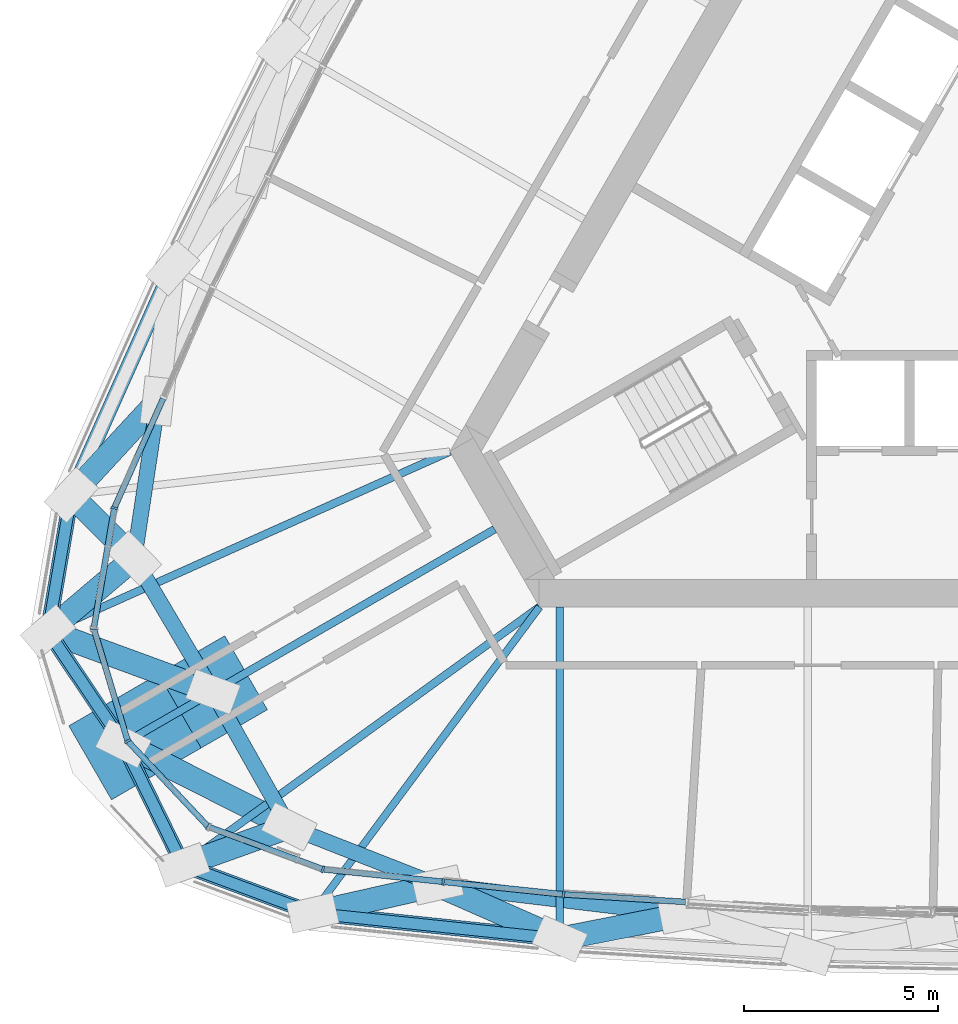
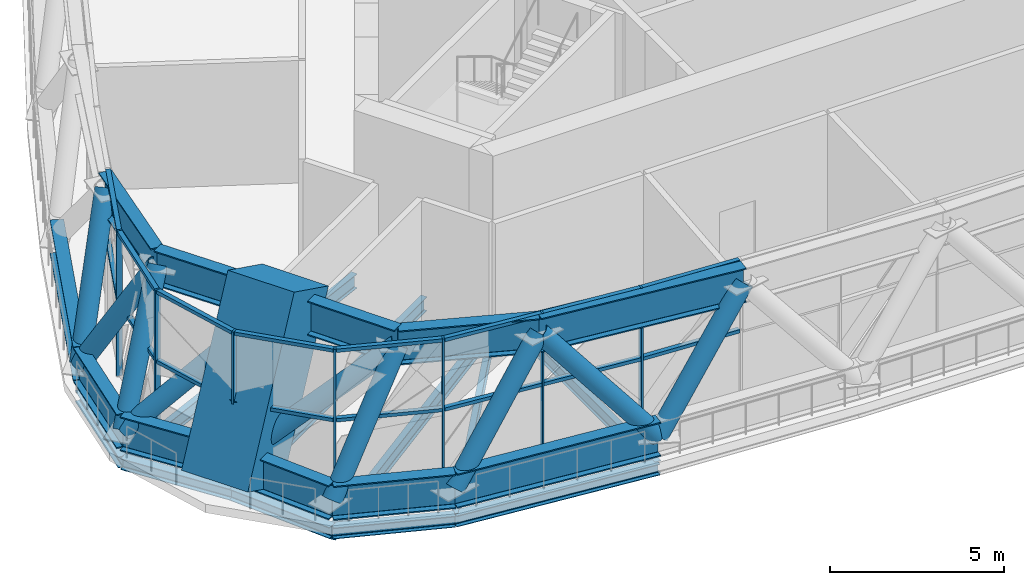
# One storey, part 1 of 33: 44 members, 10 beams, 3 elements without a shape of their own.
"""IFC4 building model written with IfcOpenShell, lengths in metres."""

import ifcopenshell
import ifcopenshell.guid

model = None  # the IFC model being written
_history = None  # IfcOwnerHistory: only IFC2X3 demands one
_inside = {}  # id of a spatial element -> (the spatial element, [elements in it])
_under = {}  # id of a project, library or spatial element -> (it, [spatial elements below it])
_declared = {}  # id of a project -> (the project, [libraries it declares])
_typed = {}  # id of a type object -> (the type object, [elements of that type])
_made_of = {}  # id of a material, layer set ... -> (it, [elements and type objects made of it])


def new_model(schema):
    """Start an empty IFC model of exactly this schema.

    Asked for "IFC4X3", IfcOpenShell would pick the latest addendum, in which some entities
    have other attributes; the version numbers below select the first issue.
    IFC2X3 requires an IfcOwnerHistory on every rooted entity: one is made here for all.
    """
    global model, _history
    if schema == "IFC4X3":
        model = ifcopenshell.file(schema_version=(4, 3, 0, 0))
    else:
        model = ifcopenshell.file(schema=schema)
    _inside.clear()
    _under.clear()
    _declared.clear()
    _typed.clear()
    _made_of.clear()
    _history = None
    if model.schema == "IFC2X3":
        org = make("IfcOrganization", Name="unknown")
        user = make(
            "IfcPersonAndOrganization",
            ThePerson=make("IfcPerson", FamilyName="unknown"),
            TheOrganization=org,
        )
        app = make(
            "IfcApplication",
            ApplicationDeveloper=org,
            Version="unknown",
            ApplicationFullName="unknown",
            ApplicationIdentifier="unknown",
        )
        _history = make(
            "IfcOwnerHistory",
            OwningUser=user,
            OwningApplication=app,
            ChangeAction="ADDED",
            CreationDate=0,
        )
    return model


def make(cls, **values):
    """One entity of the class cls with the attributes given. An attribute that is None is left unset."""
    return model.create_entity(
        cls, **{name: value for name, value in values.items() if value is not None}
    )


def rooted(cls, **values):
    """An entity with a GlobalId (a new one), such as an element, a storey or a relation."""
    return make(cls, GlobalId=ifcopenshell.guid.new(), OwnerHistory=_history, **values)


def si_unit(unit_type, name, prefix=None):
    """IfcSIUnit, for example si_unit("LENGTHUNIT", "METRE", prefix="MILLI")."""
    return make("IfcSIUnit", UnitType=unit_type, Prefix=prefix, Name=name)


def assignment(units):
    """IfcUnitAssignment: the units of a project."""
    return None if units is None else make("IfcUnitAssignment", Units=units)


def point(xyz):
    """IfcCartesianPoint."""
    return None if xyz is None else make("IfcCartesianPoint", Coordinates=xyz)


def direction(xyz):
    """IfcDirection."""
    return None if xyz is None else make("IfcDirection", DirectionRatios=xyz)


def frame(location, z_axis=None, x_axis=None):
    """IfcAxis2Placement3D, a coordinate frame: its origin and axes. An axis left out is left unset."""
    return make(
        "IfcAxis2Placement3D",
        Location=point(location),
        Axis=direction(z_axis),
        RefDirection=direction(x_axis),
    )


def frame_2d(location, x_axis=None):
    """IfcAxis2Placement2D, a coordinate frame in the plane: its origin and x axis."""
    return make(
        "IfcAxis2Placement2D", Location=point(location), RefDirection=direction(x_axis)
    )


def origin():
    """The frame at (0, 0, 0) with its axes left unset."""
    return frame((0.0, 0.0, 0.0))


def origin_2d():
    """The frame at (0, 0) in the plane with its x axis left unset."""
    return frame_2d((0.0, 0.0))


def place(relative_to, where):
    """IfcLocalPlacement: puts the frame where relative to a parent placement (None: the world)."""
    return make(
        "IfcLocalPlacement", PlacementRelTo=relative_to, RelativePlacement=where
    )


def context(
    kind, dimensions, precision=None, world=None, true_north=None, identifier=None
):
    """IfcGeometricRepresentationContext, for example the 3D "Model" context."""
    return make(
        "IfcGeometricRepresentationContext",
        ContextIdentifier=identifier,
        ContextType=kind,
        CoordinateSpaceDimension=dimensions,
        Precision=precision,
        WorldCoordinateSystem=world,
        TrueNorth=true_north,
    )


def subcontext(parent, identifier, kind, view, scale=None):
    """IfcGeometricRepresentationSubContext, for example "Body" below "Model"."""
    return make(
        "IfcGeometricRepresentationSubContext",
        ContextIdentifier=identifier,
        ContextType=kind,
        ParentContext=parent,
        TargetScale=scale,
        TargetView=view,
    )


def project(units=None, contexts=None):
    """IfcProject with its units and contexts."""
    return rooted(
        "IfcProject",
        Name="project",
        RepresentationContexts=contexts,
        UnitsInContext=assignment(units),
    )


def spatial(cls, under=None, at=None, **own):
    """A site, building, storey or space (cls), placed at a placement, below another one or the project."""
    s = rooted(cls, ObjectPlacement=at, **own)
    if under is not None:
        _under.setdefault(under.id(), (under, []))[1].append(s)
    return s


def profile(cls, at=None, kind="AREA", **sizes):
    """A parametric profile (cls). Its sizes go by their IFC names, for example OverallWidth=200.0."""
    return make(cls, ProfileType=kind, Position=at, **sizes)


def rectangle(**sizes):
    """IfcRectangleProfileDef."""
    return profile("IfcRectangleProfileDef", **sizes)


def hollow_circle(**sizes):
    """IfcCircleHollowProfileDef."""
    return profile("IfcCircleHollowProfileDef", **sizes)


def i_section(**sizes):
    """IfcIShapeProfileDef."""
    return profile("IfcIShapeProfileDef", **sizes)


def extrude(swept, where, along, depth):
    """IfcExtrudedAreaSolid: the profile swept, set in the frame where, extruded along a direction by depth."""
    return make(
        "IfcExtrudedAreaSolid",
        SweptArea=swept,
        Position=where,
        ExtrudedDirection=direction(along),
        Depth=depth,
    )


def shape(context_of_items, identifier, shape_type, items):
    """IfcShapeRepresentation: the items that make up one representation, for example the "Body"."""
    return make(
        "IfcShapeRepresentation",
        ContextOfItems=context_of_items,
        RepresentationIdentifier=identifier,
        RepresentationType=shape_type,
        Items=items,
    )


def material(Name=None, Category=None):
    """IfcMaterial."""
    return make("IfcMaterial", Name=Name, Category=Category)


def material_profile(
    of_material, cross_section, Name=None, Category=None, Priority=None
):
    """IfcMaterialProfile: a cross section and its material."""
    return make(
        "IfcMaterialProfile",
        Name=Name,
        Material=of_material,
        Profile=cross_section,
        Priority=Priority,
        Category=Category,
    )


def profile_set(profiles, Name=None, composite=None):
    """IfcMaterialProfileSet."""
    return make(
        "IfcMaterialProfileSet",
        Name=Name,
        MaterialProfiles=profiles,
        CompositeProfile=composite,
    )


def made_of(thing, what):
    """Note that an element or type object is made of a material, layer set ...; save() writes the relation."""
    if what is not None:
        _made_of.setdefault(what.id(), (what, []))[1].append(thing)
    return thing


def type_object(cls, material=None, **own):
    """A type object (cls), such as IfcWallType, which elements share."""
    return made_of(rooted(cls, **own), material)


def element(
    cls,
    number,
    at=None,
    inside=None,
    cuts=None,
    type_object=None,
    material=None,
    context=None,
    identifier="Body",
    shape_type=None,
    held_by="IfcProductDefinitionShape",
    body=None,
    shapes=None,
    **own,
):
    """One element of the class cls, such as IfcWall. Its Tag is "e" and its number.

    at: its placement. inside: the storey or other place that contains it. cuts: it is an
    opening in that element (IfcRelVoidsElement). A single representation is given by context,
    identifier, shape_type and body (its items); several are given by shapes. held_by: the class
    of the entity that holds the representations. save() writes the other relations.
    """
    e = rooted(cls, Tag="e%d" % number, ObjectPlacement=at, **own)
    if body is not None:
        shapes = [shape(context, identifier, shape_type, body)]
    if shapes is not None:
        e.Representation = make(held_by, Representations=shapes)
    if inside is not None:
        _inside.setdefault(inside.id(), (inside, []))[1].append(e)
    if cuts is not None:
        rooted(
            "IfcRelVoidsElement", RelatingBuildingElement=cuts, RelatedOpeningElement=e
        )
    if type_object is not None:
        _typed.setdefault(type_object.id(), (type_object, []))[1].append(e)
    return made_of(e, material)


def aggregate(whole, parts):
    """IfcRelAggregates: a whole, such as a stair, and the parts it consists of."""
    return rooted("IfcRelAggregates", RelatingObject=whole, RelatedObjects=parts)


def save(model, path):
    """Write the relations noted so far, then the file.

    IfcRelAggregates (storeys below a building ...), IfcRelContainedInSpatialStructure (elements
    in a storey), IfcRelDefinesByType, IfcRelAssociatesMaterial and IfcRelDeclares: one each for
    every whole, place, type object, material and project.
    """
    for whole, parts in _under.values():
        aggregate(whole, parts)
    for where, things in _inside.values():
        rooted(
            "IfcRelContainedInSpatialStructure",
            RelatedElements=things,
            RelatingStructure=where,
        )
    for kind, things in _typed.values():
        rooted("IfcRelDefinesByType", RelatedObjects=things, RelatingType=kind)
    for what, things in _made_of.values():
        rooted("IfcRelAssociatesMaterial", RelatedObjects=things, RelatingMaterial=what)
    for by, libraries in _declared.values():
        rooted("IfcRelDeclares", RelatingContext=by, RelatedDefinitions=libraries)
    model.write(path)


model = new_model("IFC4")

# Units and contexts
model_context = context("Model", 3, precision=1e-05, world=origin(), true_north=direction((0.0, 1.0)))
body_context = subcontext(model_context, "Body", "Model", "MODEL_VIEW")
ifc_project = project(units=[si_unit("LENGTHUNIT", "METRE"), si_unit("AREAUNIT", "SQUARE_METRE"), si_unit("VOLUMEUNIT", "CUBIC_METRE"), si_unit("PLANEANGLEUNIT", "RADIAN"), si_unit("MASSUNIT", "GRAM", prefix="KILO")], contexts=[model_context])

# Site, building, storey
site_placement = place(None, origin())
site = spatial("IfcSite", under=ifc_project, at=site_placement, CompositionType="ELEMENT")
building_placement = place(site_placement, origin())
building = spatial("IfcBuilding", under=site, at=building_placement, Name="Mestral Congress Tower", CompositionType="ELEMENT")
storey_placement = place(building_placement, frame((0.0, 0.0, 256.199951171875)))
storey = spatial("IfcBuildingStorey", under=building, at=storey_placement, Name="L60", CompositionType="ELEMENT", Elevation=256.199951171875)

# Members
ifc_material_1 = material(Name="Steel S355", Category="steel")
ifc_material_profile_1 = material_profile(ifc_material_1, i_section(OverallWidth=0.39990234375, OverallDepth=1.199951171875, WebThickness=0.02001953125, FlangeThickness=0.0400390625, FilletRadius=0.010009765625, at=origin_2d()), Name="WPG 1200")
ifc_profile_set_1 = profile_set([ifc_material_profile_1], Name="Steel S355")
member_type_1 = type_object("IfcMemberType", Name="Belt chord WPG 1200 S355", PredefinedType="CHORD", material=ifc_profile_set_1)
member_1_placement = place(storey_placement, frame((-19.150390625, -18.23681640625, 0.60009765625), z_axis=(0.99462127512, -0.103578564764, 0.0), x_axis=(0.103578564764, 0.99462127512, 0.0)))
element("IfcMember", 1, at=member_1_placement, inside=storey, type_object=member_type_1, Name="MB-L60-BC4-S00", PredefinedType="CHORD", context=body_context, shape_type="SweptSolid", body=[
    extrude(i_section(OverallWidth=0.39990234375, OverallDepth=1.199951171875, WebThickness=0.02001953125, FlangeThickness=0.0400390625, FilletRadius=0.010009765625, at=origin_2d()), origin(), (0.0, 0.0, 1.0), 6.3994140625),
])
member_2_placement = place(storey_placement, frame((-22.76025390625, -1.62255859375, 0.60009765625), z_axis=(-0.407628118889, -0.913148025618, 0.0), x_axis=(0.913148025618, -0.407628118889, 0.0)))
element("IfcMember", 2, at=member_2_placement, inside=storey, type_object=member_type_1, Name="MB-L60-BC4-W05", PredefinedType="CHORD", context=body_context, shape_type="SweptSolid", body=[
    extrude(i_section(OverallWidth=0.39990234375, OverallDepth=1.199951171875, WebThickness=0.02001953125, FlangeThickness=0.0400390625, FilletRadius=0.010009765625, at=origin_2d()), origin(), (0.0, 0.0, 1.0), 6.399658203125),
])
member_3_placement = place(storey_placement, frame((-25.368896484375, -7.46630859375, 0.60009765625), z_axis=(-0.167572873606, -0.985859691859, 0.0), x_axis=(0.985859691859, -0.167572873606, 0.0)))
element("IfcMember", 3, at=member_3_placement, inside=storey, type_object=member_type_1, Name="MB-L60-BC4-W06", PredefinedType="CHORD", context=body_context, shape_type="SweptSolid", body=[
    extrude(i_section(OverallWidth=0.39990234375, OverallDepth=1.199951171875, WebThickness=0.02001953125, FlangeThickness=0.0400390625, FilletRadius=0.010009765625, at=origin_2d()), origin(), (0.0, 0.0, 1.0), 3.566650390625),
])
member_4_placement = place(storey_placement, frame((-25.966552734375, -10.982421875, 0.60009765625), z_axis=(0.557206909955, -0.83037368666, 0.0), x_axis=(0.83037368666, 0.557206909955, 0.0)))
element("IfcMember", 4, at=member_4_placement, inside=storey, type_object=member_type_1, Name="MB-L60-BC4-SW1", PredefinedType="CHORD", context=body_context, shape_type="SweptSolid", body=[
    extrude(i_section(OverallWidth=0.39990234375, OverallDepth=1.199951171875, WebThickness=0.02001953125, FlangeThickness=0.0400390625, FilletRadius=0.010009765625, at=origin_2d()), origin(), (0.0, 0.0, 1.0), 3.480224609375),
])
member_5_placement = place(storey_placement, frame((-24.02734375, -13.872314453125, 0.60009765625), z_axis=(0.440494340717, -0.897755387506, 0.0), x_axis=(0.897755387506, 0.440494340717, 0.0)))
element("IfcMember", 5, at=member_5_placement, inside=storey, type_object=member_type_1, Name="MB-L60-BC4-SW", PredefinedType="CHORD", context=body_context, shape_type="SweptSolid", body=[
    extrude(i_section(OverallWidth=0.39990234375, OverallDepth=1.199951171875, WebThickness=0.02001953125, FlangeThickness=0.0400390625, FilletRadius=0.010009765625, at=origin_2d()), origin(), (0.0, 0.0, 1.0), 3.47998046875),
])
member_6_placement = place(storey_placement, frame((-22.494384765625, -16.99658203125, 0.60009765625), z_axis=(0.93759177789, -0.347737915725, 0.0), x_axis=(0.347737915725, 0.93759177789, 0.0)))
element("IfcMember", 6, at=member_6_placement, inside=storey, type_object=member_type_1, Name="MB-L60-BC4-SW3", PredefinedType="CHORD", context=body_context, shape_type="SweptSolid", body=[
    extrude(i_section(OverallWidth=0.39990234375, OverallDepth=1.199951171875, WebThickness=0.02001953125, FlangeThickness=0.0400390625, FilletRadius=0.010009765625, at=origin_2d()), origin(), (0.0, 0.0, 1.0), 3.566650390625),
])
member_7_placement = place(storey_placement, frame((-15.940673828125, -17.511962890625, 4.5), z_axis=(0.992889831026, -0.119036899508, 0.0), x_axis=(0.119036899508, 0.992889831026, 0.0)))
element("IfcMember", 7, at=member_7_placement, inside=storey, type_object=member_type_1, Name="MB-L60-TC4-S00", PredefinedType="CHORD", context=body_context, shape_type="SweptSolid", body=[
    extrude(i_section(OverallWidth=0.39990234375, OverallDepth=1.199951171875, WebThickness=0.02001953125, FlangeThickness=0.0400390625, FilletRadius=0.010009765625, at=origin_2d()), origin(), (0.0, 0.0, 1.0), 6.39892578125),
])
member_8_placement = place(storey_placement, frame((-23.135986328125, -5.049072265625, 4.5), z_axis=(-0.14940990811, -0.988775343219, 0.0), x_axis=(0.988775343219, -0.14940990811, 0.0)))
element("IfcMember", 8, at=member_8_placement, inside=storey, type_object=member_type_1, Name="MB-L60-TC4-W05", PredefinedType="CHORD", context=body_context, shape_type="SweptSolid", body=[
    extrude(i_section(OverallWidth=0.39990234375, OverallDepth=1.199951171875, WebThickness=0.02001953125, FlangeThickness=0.0400390625, FilletRadius=0.010009765625, at=origin_2d()), origin(), (0.0, 0.0, 1.0), 4.096435546875),
])
for number, where, z_axis, x_axis, name in (
    (9, (-23.748046875, -9.099609375, 4.5), (0.508243178708, -0.861213603757, 0.0), (0.861213603757, 0.508243178708, 0.0), "MB-L60-TC4-SW1"),
    (10, (-21.71826171875, -12.5390625, 4.5), (0.491734929562, -0.870744944888, 0.0), (0.870744944888, 0.491734929562, 0.0), "MB-L60-TC4-SW"),
):
    element("IfcMember", number, at=place(storey_placement, frame(where, z_axis=z_axis, x_axis=x_axis)), inside=storey, type_object=member_type_1, Name=name, PredefinedType="CHORD", context=body_context, shape_type="SweptSolid", body=[
        extrude(i_section(OverallWidth=0.39990234375, OverallDepth=1.199951171875, WebThickness=0.02001953125, FlangeThickness=0.0400390625, FilletRadius=0.010009765625, at=origin_2d()), origin(), (0.0, 0.0, 1.0), 3.99365234375),
    ])
member_9_placement = place(storey_placement, frame((-19.75439453125, -16.0166015625, 4.5), z_axis=(0.930991071019, -0.365041950579, 0.0), x_axis=(0.365041950579, 0.930991071019, 0.0)))
element("IfcMember", 11, at=member_9_placement, inside=storey, type_object=member_type_1, Name="MB-L60-TC4-SW3", PredefinedType="CHORD", context=body_context, shape_type="SweptSolid", body=[
    extrude(i_section(OverallWidth=0.39990234375, OverallDepth=1.199951171875, WebThickness=0.02001953125, FlangeThickness=0.0400390625, FilletRadius=0.010009765625, at=origin_2d()), origin(), (0.0, 0.0, 1.0), 4.096435546875),
])
ifc_material_profile_2 = material_profile(ifc_material_1, hollow_circle(Radius=0.304931640625, WallThickness=0.02490234375, at=origin_2d()), Name="CHS 610x25")
ifc_profile_set_2 = profile_set([ifc_material_profile_2], Name="Steel S355")
member_type_2 = type_object("IfcMemberType", Name="Belt diagonal CHS 610x25 S355", PredefinedType="BRACE", material=ifc_profile_set_2)
member_10_placement = place(storey_placement, frame((-19.150390625, -18.23681640625, 0.60009765625), z_axis=(0.629030644725, 0.142054612017, 0.764291132489), x_axis=(-0.220283643962, 0.975435859605, 0.0)))
element("IfcMember", 12, at=member_10_placement, inside=storey, type_object=member_type_2, Name="MD-L60-BD4-S00.S00", PredefinedType="BRACE", context=body_context, shape_type="SweptSolid", body=[
    extrude(hollow_circle(Radius=0.304931640625, WallThickness=0.02490234375, at=origin_2d()), origin(), (0.0, 0.0, 1.0), 5.1025390625),
])
member_11_placement = place(storey_placement, frame((-12.785400390625, -18.899658203125, 0.60009765625), z_axis=(-0.606215437726, 0.266614712785, 0.749279279034), x_axis=(-0.402586698669, -0.915381860239, 0.0)))
element("IfcMember", 13, at=member_11_placement, inside=storey, type_object=member_type_2, Name="MD-L60-BD4-S01.S00", PredefinedType="BRACE", context=body_context, shape_type="SweptSolid", body=[
    extrude(hollow_circle(Radius=0.304931640625, WallThickness=0.02490234375, at=origin_2d()), origin(), (0.0, 0.0, 1.0), 5.204833984375),
])
member_12_placement = place(storey_placement, frame((-12.785400390625, -18.899658203125, 0.60009765625), z_axis=(0.629289530132, 0.123167813379, 0.767348927812), x_axis=(-0.192080621307, 0.981379149421, 0.0)))
element("IfcMember", 14, at=member_12_placement, inside=storey, type_object=member_type_2, Name="MD-L60-BD4-S01.S01", PredefinedType="BRACE", context=body_context, shape_type="SweptSolid", body=[
    extrude(hollow_circle(Radius=0.304931640625, WallThickness=0.02490234375, at=origin_2d()), origin(), (0.0, 0.0, 1.0), 5.082275390625),
])
member_13_placement = place(storey_placement, frame((-25.368896484375, -7.46630859375, 0.60009765625), z_axis=(0.437588725724, 0.473711564989, 0.76427315818), x_axis=(-0.734558781973, 0.678545058067, 0.0)))
element("IfcMember", 15, at=member_13_placement, inside=storey, type_object=member_type_2, Name="MD-L60-BD4-W06.W05", PredefinedType="BRACE", context=body_context, shape_type="SweptSolid", body=[
    extrude(hollow_circle(Radius=0.304931640625, WallThickness=0.02490234375, at=origin_2d()), origin(), (0.0, 0.0, 1.0), 5.102783203125),
])
member_14_placement = place(storey_placement, frame((-25.368896484375, -7.46630859375, 0.60009765625), z_axis=(0.357950319906, -0.360700051238, 0.86125898632), x_axis=(0.709807148114, 0.704396062231, 0.0)))
element("IfcMember", 16, at=member_14_placement, inside=storey, type_object=member_type_2, Name="MD-L60-BD4-W06.SW1", PredefinedType="BRACE", context=body_context, shape_type="SweptSolid", body=[
    extrude(hollow_circle(Radius=0.304931640625, WallThickness=0.02490234375, at=origin_2d()), origin(), (0.0, 0.0, 1.0), 4.528076171875),
])
member_15_placement = place(storey_placement, frame((-25.966552734375, -10.982421875, 0.60009765625), z_axis=(0.455938757316, 0.386948354399, 0.801492869965), x_axis=(-0.647066140846, 0.76243387213, 0.0)))
element("IfcMember", 17, at=member_15_placement, inside=storey, type_object=member_type_2, Name="MD-L60-BD4-SW1.SW1", PredefinedType="BRACE", context=body_context, shape_type="SweptSolid", body=[
    extrude(hollow_circle(Radius=0.304931640625, WallThickness=0.02490234375, at=origin_2d()), origin(), (0.0, 0.0, 1.0), 4.86572265625),
])
member_16_placement = place(storey_placement, frame((-25.966552734375, -10.982421875, 0.60009765625), z_axis=(0.711213083421, -0.260599656335, 0.652888787688), x_axis=(0.344046940876, 0.938952449528, 0.0)))
element("IfcMember", 18, at=member_16_placement, inside=storey, type_object=member_type_2, Name="MD-L60-BD4-SW1.SW", PredefinedType="BRACE", context=body_context, shape_type="SweptSolid", body=[
    extrude(hollow_circle(Radius=0.304931640625, WallThickness=0.02490234375, at=origin_2d()), origin(), (0.0, 0.0, 1.0), 5.973388671875),
])
member_17_placement = place(storey_placement, frame((-24.02734375, -13.872314453125, 0.60009765625), z_axis=(0.692569082689, -0.347550808665, 0.632104818128), x_axis=(0.448520429996, 0.893772579505, 0.0)))
element("IfcMember", 19, at=member_17_placement, inside=storey, type_object=member_type_2, Name="MD-L60-BD4-SW.SW3", PredefinedType="BRACE", context=body_context, shape_type="SweptSolid", body=[
    extrude(hollow_circle(Radius=0.304931640625, WallThickness=0.02490234375, at=origin_2d()), origin(), (0.0, 0.0, 1.0), 6.169677734375),
])
member_18_placement = place(storey_placement, frame((-22.494384765625, -16.99658203125, 0.60009765625), z_axis=(0.563098453181, 0.201396880609, 0.801473286209), x_axis=(-0.336766861466, 0.941588063337, 0.0)))
element("IfcMember", 20, at=member_18_placement, inside=storey, type_object=member_type_2, Name="MD-L60-BD4-SW3.SW3", PredefinedType="BRACE", context=body_context, shape_type="SweptSolid", body=[
    extrude(hollow_circle(Radius=0.304931640625, WallThickness=0.02490234375, at=origin_2d()), origin(), (0.0, 0.0, 1.0), 4.865966796875),
])

# Curtain wall, members
ifc_material_2 = material(Name="Clear low-emissivity double glazing", Category="glass")
curtain_wall_type = type_object("IfcCurtainWallType", Name="Facade refuge band screen", PredefinedType="USERDEFINED", material=ifc_material_2)
placement = place(storey_placement, origin())
curtain_wall_1 = element("IfcCurtainWall", 21, at=placement, inside=storey, type_object=curtain_wall_type, Name="Facade refuge band screen face 1", ObjectType="CURTAIN WALL", PredefinedType="USERDEFINED")
ifc_material_3 = material(Name="Anodised aluminium", Category="aluminium")
ifc_material_profile_3 = material_profile(ifc_material_3, rectangle(XDim=0.179931640625, YDim=0.06005859375, at=origin_2d()), Name="CW3 mullion 180 x 60")
ifc_profile_set_3 = profile_set([ifc_material_profile_3], Name="Anodised aluminium")
member_type_3 = type_object("IfcMemberType", Name="Facade refuge band screen mullion", PredefinedType="MULLION", material=ifc_profile_set_3)
member_19_placement = place(storey_placement, frame((-15.788330078125, -17.4306640625, 0.0), z_axis=(0.0, 0.0, 1.0), x_axis=(-0.103575478711, -0.994621596493, 0.0)))
member_19 = element("IfcMember", 22, at=member_19_placement, type_object=member_type_3, Name="Facade refuge band screen mullion", PredefinedType="MULLION", context=body_context, shape_type="SweptSolid", body=[
    extrude(rectangle(XDim=0.179931640625, YDim=0.06005859375, at=origin_2d()), origin(), (0.0, 0.0, 1.0), 5.10009765625),
])
member_20_placement = place(storey_placement, frame((-12.68994140625, -17.75341796875, 0.0), z_axis=(0.0, 0.0, 1.0), x_axis=(-0.082914306473, -0.996556680667, 0.0)))
member_20 = element("IfcMember", 23, at=member_20_placement, type_object=member_type_3, Name="Facade refuge band screen mullion", PredefinedType="MULLION", context=body_context, shape_type="SweptSolid", body=[
    extrude(rectangle(XDim=0.179931640625, YDim=0.06005859375, at=origin_2d()), origin(), (0.0, 0.0, 1.0), 5.10009765625),
])

curtain_wall_2 = element("IfcCurtainWall", 24, at=placement, inside=storey, type_object=curtain_wall_type, Name="Facade refuge band screen corner 3", ObjectType="CURTAIN WALL", PredefinedType="USERDEFINED")
member_21_placement = place(storey_placement, frame((-24.259521484375, -7.802490234375, 0.0), z_axis=(0.0, 0.0, 1.0), x_axis=(-0.985851883818, 0.167618803161, 0.0)))
member_21 = element("IfcMember", 25, at=member_21_placement, type_object=member_type_3, Name="Facade refuge band screen mullion", PredefinedType="MULLION", context=body_context, shape_type="SweptSolid", body=[
    extrude(rectangle(XDim=0.179931640625, YDim=0.06005859375, at=origin_2d()), origin(), (0.0, 0.0, 1.0), 5.10009765625),
])
member_22_placement = place(storey_placement, frame((-24.78759765625, -10.908935546875, 0.0), z_axis=(0.0, 0.0, 1.0), x_axis=(-0.998062619044, -0.062217428964, 0.0)))
member_22 = element("IfcMember", 26, at=member_22_placement, type_object=member_type_3, Name="Facade refuge band screen mullion", PredefinedType="MULLION", context=body_context, shape_type="SweptSolid", body=[
    extrude(rectangle(XDim=0.179931640625, YDim=0.06005859375, at=origin_2d()), origin(), (0.0, 0.0, 1.0), 5.10009765625),
])
member_23_placement = place(storey_placement, frame((-23.913818359375, -13.806640625, 0.0), z_axis=(0.0, 0.0, 1.0), x_axis=(-0.866025403784, -0.5, 0.0)))
member_23 = element("IfcMember", 27, at=member_23_placement, type_object=member_type_3, Name="Facade refuge band screen mullion", PredefinedType="MULLION", context=body_context, shape_type="SweptSolid", body=[
    extrude(rectangle(XDim=0.179931640625, YDim=0.06005859375, at=origin_2d()), origin(), (0.0, 0.0, 1.0), 5.10009765625),
])
member_24_placement = place(storey_placement, frame((-21.84130859375, -16.01220703125, 0.0), z_axis=(0.0, 0.0, 1.0), x_axis=(-0.552913183563, -0.833238868178, 0.0)))
member_24 = element("IfcMember", 28, at=member_24_placement, type_object=member_type_3, Name="Facade refuge band screen mullion", PredefinedType="MULLION", context=body_context, shape_type="SweptSolid", body=[
    extrude(rectangle(XDim=0.179931640625, YDim=0.06005859375, at=origin_2d()), origin(), (0.0, 0.0, 1.0), 5.10009765625),
])
member_25_placement = place(storey_placement, frame((-18.88671875, -17.108154296875, 0.0), z_axis=(0.0, 0.0, 1.0), x_axis=(-0.347763800219, -0.937582177335, 0.0)))
member_25 = element("IfcMember", 29, at=member_25_placement, type_object=member_type_3, Name="Facade refuge band screen mullion", PredefinedType="MULLION", context=body_context, shape_type="SweptSolid", body=[
    extrude(rectangle(XDim=0.179931640625, YDim=0.06005859375, at=origin_2d()), origin(), (0.0, 0.0, 1.0), 5.10009765625),
])

# Member
ifc_material_profile_4 = material_profile(ifc_material_3, rectangle(XDim=0.14990234375, YDim=0.1201171875, at=origin_2d()), Name="CW3 transom 150 x 120")
ifc_profile_set_4 = profile_set([ifc_material_profile_4], Name="Anodised aluminium")
member_type_4 = type_object("IfcMemberType", Name="Facade refuge band screen transom", PredefinedType="USERDEFINED", material=ifc_profile_set_4)
member_26_placement = place(storey_placement, frame((-18.85693359375, -17.111083984375, 2.60009765625), z_axis=(0.994623039785, -0.103561618025, 0.0), x_axis=(0.103561618025, 0.994623039785, 0.0)))
member_26 = element("IfcMember", 30, at=member_26_placement, type_object=member_type_4, Name="Facade refuge band screen transom", ObjectType="TRANSOM", PredefinedType="USERDEFINED", context=body_context, shape_type="SweptSolid", body=[
    extrude(rectangle(XDim=0.14990234375, YDim=0.1201171875, at=origin_2d()), origin(), (0.0, 0.0, 1.0), 3.05517578125),
])

member_27_placement = place(storey_placement, frame((-18.85693359375, -17.111083984375, 5.0400390625), z_axis=(0.994623039785, -0.103561618025, 0.0), x_axis=(0.103561618025, 0.994623039785, 0.0)))
member_27 = element("IfcMember", 31, at=member_27_placement, type_object=member_type_4, Name="Facade refuge band screen transom", ObjectType="TRANSOM", PredefinedType="USERDEFINED", context=body_context, shape_type="SweptSolid", body=[
    extrude(rectangle(XDim=0.14990234375, YDim=0.1201171875, at=origin_2d()), origin(), (0.0, 0.0, 1.0), 3.05517578125),
])

member_28_placement = place(storey_placement, frame((-15.758544921875, -17.433837890625, 2.60009765625), z_axis=(0.994623039785, -0.103561618025, 0.0), x_axis=(0.103561618025, 0.994623039785, 0.0)))
member_28 = element("IfcMember", 32, at=member_28_placement, type_object=member_type_4, Name="Facade refuge band screen transom", ObjectType="TRANSOM", PredefinedType="USERDEFINED", context=body_context, shape_type="SweptSolid", body=[
    extrude(rectangle(XDim=0.14990234375, YDim=0.1201171875, at=origin_2d()), origin(), (0.0, 0.0, 1.0), 3.05517578125),
])

member_29_placement = place(storey_placement, frame((-15.758544921875, -17.433837890625, 5.0400390625), z_axis=(0.994623039785, -0.103561618025, 0.0), x_axis=(0.103561618025, 0.994623039785, 0.0)))
member_29 = element("IfcMember", 33, at=member_29_placement, type_object=member_type_4, Name="Facade refuge band screen transom", ObjectType="TRANSOM", PredefinedType="USERDEFINED", context=body_context, shape_type="SweptSolid", body=[
    extrude(rectangle(XDim=0.14990234375, YDim=0.1201171875, at=origin_2d()), origin(), (0.0, 0.0, 1.0), 3.05517578125),
])

member_30_placement = place(storey_placement, frame((-12.659912109375, -17.75537109375, 2.60009765625), z_axis=(0.998062930494, -0.062212432628, 0.0), x_axis=(0.062212432628, 0.998062930494, 0.0)))
member_30 = element("IfcMember", 34, at=member_30_placement, type_object=member_type_4, Name="Facade refuge band screen transom", ObjectType="TRANSOM", PredefinedType="USERDEFINED", context=body_context, shape_type="SweptSolid", body=[
    extrude(rectangle(XDim=0.14990234375, YDim=0.1201171875, at=origin_2d()), origin(), (0.0, 0.0, 1.0), 3.115966796875),
])

member_31_placement = place(storey_placement, frame((-12.659912109375, -17.75537109375, 5.0400390625), z_axis=(0.998062930494, -0.062212432628, 0.0), x_axis=(0.062212432628, 0.998062930494, 0.0)))
member_31 = element("IfcMember", 35, at=member_31_placement, type_object=member_type_4, Name="Facade refuge band screen transom", ObjectType="TRANSOM", PredefinedType="USERDEFINED", context=body_context, shape_type="SweptSolid", body=[
    extrude(rectangle(XDim=0.14990234375, YDim=0.1201171875, at=origin_2d()), origin(), (0.0, 0.0, 1.0), 3.115966796875),
])

aggregate(curtain_wall_1, [member_19, member_20, member_26, member_27, member_28, member_29, member_30, member_31])

# Curtain wall, members
curtain_wall_3 = element("IfcCurtainWall", 36, at=placement, inside=storey, type_object=curtain_wall_type, Name="Facade refuge band screen face 3", ObjectType="CURTAIN WALL", PredefinedType="USERDEFINED")
member_32_placement = place(storey_placement, frame((-23.001953125, -4.985107421875, 2.60009765625), z_axis=(-0.407628233025, -0.913147974668, 0.0), x_axis=(0.913147974668, -0.407628233025, 0.0)))
member_32 = element("IfcMember", 37, at=member_32_placement, type_object=member_type_4, Name="Facade refuge band screen transom", ObjectType="TRANSOM", PredefinedType="USERDEFINED", context=body_context, shape_type="SweptSolid", body=[
    extrude(rectangle(XDim=0.14990234375, YDim=0.1201171875, at=origin_2d()), origin(), (0.0, 0.0, 1.0), 3.05517578125),
])
member_33_placement = place(storey_placement, frame((-23.001953125, -4.985107421875, 5.0400390625), z_axis=(-0.407628233025, -0.913147974668, 0.0), x_axis=(0.913147974668, -0.407628233025, 0.0)))
member_33 = element("IfcMember", 38, at=member_33_placement, type_object=member_type_4, Name="Facade refuge band screen transom", ObjectType="TRANSOM", PredefinedType="USERDEFINED", context=body_context, shape_type="SweptSolid", body=[
    extrude(rectangle(XDim=0.14990234375, YDim=0.1201171875, at=origin_2d()), origin(), (0.0, 0.0, 1.0), 3.05517578125),
])
aggregate(curtain_wall_3, [member_32, member_33])

# Member
member_34_placement = place(storey_placement, frame((-24.264404296875, -7.83203125, 2.60009765625), z_axis=(-0.167676861775, -0.985842010682, 0.0), x_axis=(0.985842010682, -0.167676861775, 0.0)))
member_34 = element("IfcMember", 39, at=member_34_placement, type_object=member_type_4, Name="Facade refuge band screen transom", ObjectType="TRANSOM", PredefinedType="USERDEFINED", context=body_context, shape_type="SweptSolid", body=[
    extrude(rectangle(XDim=0.14990234375, YDim=0.1201171875, at=origin_2d()), origin(), (0.0, 0.0, 1.0), 3.091064453125),
])

member_35_placement = place(storey_placement, frame((-24.264404296875, -7.83203125, 5.0400390625), z_axis=(-0.167676861775, -0.985842010682, 0.0), x_axis=(0.985842010682, -0.167676861775, 0.0)))
member_35 = element("IfcMember", 40, at=member_35_placement, type_object=member_type_4, Name="Facade refuge band screen transom", ObjectType="TRANSOM", PredefinedType="USERDEFINED", context=body_context, shape_type="SweptSolid", body=[
    extrude(rectangle(XDim=0.14990234375, YDim=0.1201171875, at=origin_2d()), origin(), (0.0, 0.0, 1.0), 3.091064453125),
])

member_36_placement = place(storey_placement, frame((-24.779052734375, -10.937744140625, 2.60009765625), z_axis=(0.288789692452, -0.957392559786, 0.0), x_axis=(0.957392559786, 0.288789692452, 0.0)))
member_36 = element("IfcMember", 41, at=member_36_placement, type_object=member_type_4, Name="Facade refuge band screen transom", ObjectType="TRANSOM", PredefinedType="USERDEFINED", context=body_context, shape_type="SweptSolid", body=[
    extrude(rectangle(XDim=0.14990234375, YDim=0.1201171875, at=origin_2d()), origin(), (0.0, 0.0, 1.0), 2.966552734375),
])

member_37_placement = place(storey_placement, frame((-24.779052734375, -10.937744140625, 5.0400390625), z_axis=(0.288789692452, -0.957392559786, 0.0), x_axis=(0.957392559786, 0.288789692452, 0.0)))
member_37 = element("IfcMember", 42, at=member_37_placement, type_object=member_type_4, Name="Facade refuge band screen transom", ObjectType="TRANSOM", PredefinedType="USERDEFINED", context=body_context, shape_type="SweptSolid", body=[
    extrude(rectangle(XDim=0.14990234375, YDim=0.1201171875, at=origin_2d()), origin(), (0.0, 0.0, 1.0), 2.966552734375),
])

member_38_placement = place(storey_placement, frame((-23.893310546875, -13.828369140625, 2.60009765625), z_axis=(0.684792033409, -0.728738547752, 0.0), x_axis=(0.728738547752, 0.684792033409, 0.0)))
member_38 = element("IfcMember", 43, at=member_38_placement, type_object=member_type_4, Name="Facade refuge band screen transom", ObjectType="TRANSOM", PredefinedType="USERDEFINED", context=body_context, shape_type="SweptSolid", body=[
    extrude(rectangle(XDim=0.14990234375, YDim=0.1201171875, at=origin_2d()), origin(), (0.0, 0.0, 1.0), 2.966552734375),
])

member_39_placement = place(storey_placement, frame((-23.893310546875, -13.828369140625, 5.0400390625), z_axis=(0.684792033409, -0.728738547752, 0.0), x_axis=(0.728738547752, 0.684792033409, 0.0)))
member_39 = element("IfcMember", 44, at=member_39_placement, type_object=member_type_4, Name="Facade refuge band screen transom", ObjectType="TRANSOM", PredefinedType="USERDEFINED", context=body_context, shape_type="SweptSolid", body=[
    extrude(rectangle(XDim=0.14990234375, YDim=0.1201171875, at=origin_2d()), origin(), (0.0, 0.0, 1.0), 2.966552734375),
])

member_40_placement = place(storey_placement, frame((-21.813232421875, -16.022705078125, 2.60009765625), z_axis=(0.937595291353, -0.347728442371, 0.0), x_axis=(0.347728442371, 0.937595291353, 0.0)))
member_40 = element("IfcMember", 45, at=member_40_placement, type_object=member_type_4, Name="Facade refuge band screen transom", ObjectType="TRANSOM", PredefinedType="USERDEFINED", context=body_context, shape_type="SweptSolid", body=[
    extrude(rectangle(XDim=0.14990234375, YDim=0.1201171875, at=origin_2d()), origin(), (0.0, 0.0, 1.0), 3.09130859375),
])

member_41_placement = place(storey_placement, frame((-21.813232421875, -16.022705078125, 5.0400390625), z_axis=(0.937595291353, -0.347728442371, 0.0), x_axis=(0.347728442371, 0.937595291353, 0.0)))
member_41 = element("IfcMember", 46, at=member_41_placement, type_object=member_type_4, Name="Facade refuge band screen transom", ObjectType="TRANSOM", PredefinedType="USERDEFINED", context=body_context, shape_type="SweptSolid", body=[
    extrude(rectangle(XDim=0.14990234375, YDim=0.1201171875, at=origin_2d()), origin(), (0.0, 0.0, 1.0), 3.09130859375),
])

aggregate(curtain_wall_2, [member_21, member_22, member_23, member_24, member_25, member_34, member_35, member_36, member_37, member_38, member_39, member_40, member_41])

# Beams
ifc_material_profile_5 = material_profile(ifc_material_1, i_section(OverallWidth=0.18994140625, OverallDepth=0.449951171875, WebThickness=0.009521484375, FlangeThickness=0.0146484375, FilletRadius=0.02099609375, at=origin_2d()), Name="IPE 450")
ifc_profile_set_5 = profile_set([ifc_material_profile_5], Name="Steel S355")
beam_type_1 = type_object("IfcBeamType", Name="Floor beam IPE 450 S355", PredefinedType="BEAM", material=ifc_profile_set_5)
beam_1_placement = place(storey_placement, frame((-19.150390625, -18.23681640625, -0.52490234375), z_axis=(0.59526145727, 0.803532076204, 0.0), x_axis=(-0.803532076204, 0.59526145727, 0.0)))
element("IfcBeam", 47, at=beam_1_placement, inside=storey, type_object=beam_type_1, Name="BM-L60-RB4-S00", PredefinedType="BEAM", context=body_context, shape_type="SweptSolid", body=[
    extrude(i_section(OverallWidth=0.18994140625, OverallDepth=0.449951171875, WebThickness=0.009521484375, FlangeThickness=0.0146484375, FilletRadius=0.02099609375, at=origin_2d()), origin(), (0.0, 0.0, 1.0), 9.815185546875),
])
beam_2_placement = place(storey_placement, frame((-12.785400390625, -18.899658203125, -0.52490234375), z_axis=(0.0, 1.0, 0.0), x_axis=(-1.0, 0.0, 0.0)))
element("IfcBeam", 48, at=beam_2_placement, inside=storey, type_object=beam_type_1, Name="BM-L60-RB4-S01", PredefinedType="BEAM", context=body_context, shape_type="SweptSolid", body=[
    extrude(i_section(OverallWidth=0.18994140625, OverallDepth=0.449951171875, WebThickness=0.009521484375, FlangeThickness=0.0146484375, FilletRadius=0.02099609375, at=origin_2d()), origin(), (0.0, 0.0, 1.0), 8.549560546875),
])
ifc_material_profile_6 = material_profile(ifc_material_1, i_section(OverallWidth=0.199951171875, OverallDepth=0.5, WebThickness=0.01025390625, FlangeThickness=0.01611328125, FilletRadius=0.02099609375, at=origin_2d()), Name="IPE 500")
ifc_profile_set_6 = profile_set([ifc_material_profile_6], Name="Steel S355")
beam_type_2 = type_object("IfcBeamType", Name="Floor beam IPE 500 S355", PredefinedType="BEAM", material=ifc_profile_set_6)
beam_3_placement = place(storey_placement, frame((-25.966552734375, -10.982421875, -0.550048828125), z_axis=(0.912741142231, 0.4085383792, 0.0), x_axis=(-0.4085383792, 0.912741142231, 0.0)))
element("IfcBeam", 49, at=beam_3_placement, inside=storey, type_object=beam_type_2, Name="BM-L60-RB4-SW1", PredefinedType="BEAM", context=body_context, shape_type="SweptSolid", body=[
    extrude(i_section(OverallWidth=0.199951171875, OverallDepth=0.5, WebThickness=0.01025390625, FlangeThickness=0.01611328125, FilletRadius=0.02099609375, at=origin_2d()), origin(), (0.0, 0.0, 1.0), 11.3388671875),
])
beam_4_placement = place(storey_placement, frame((-24.02734375, -13.872314453125, -0.550048828125), z_axis=(0.866014410301, 0.500019040789, 0.0), x_axis=(-0.500019040789, 0.866014410301, 0.0)))
element("IfcBeam", 50, at=beam_4_placement, inside=storey, type_object=beam_type_2, Name="BM-L60-RB4-SW", PredefinedType="BEAM", context=body_context, shape_type="SweptSolid", body=[
    extrude(i_section(OverallWidth=0.199951171875, OverallDepth=0.5, WebThickness=0.01025390625, FlangeThickness=0.01611328125, FilletRadius=0.02099609375, at=origin_2d()), origin(), (0.0, 0.0, 1.0), 11.04443359375),
])
beam_5_placement = place(storey_placement, frame((-22.494384765625, -16.99658203125, -0.550048828125), z_axis=(0.810186119518, 0.58617271494, 0.0), x_axis=(-0.58617271494, 0.810186119518, 0.0)))
element("IfcBeam", 51, at=beam_5_placement, inside=storey, type_object=beam_type_2, Name="BM-L60-RB4-SW3", PredefinedType="BEAM", context=body_context, shape_type="SweptSolid", body=[
    extrude(i_section(OverallWidth=0.199951171875, OverallDepth=0.5, WebThickness=0.01025390625, FlangeThickness=0.01611328125, FilletRadius=0.02099609375, at=origin_2d()), origin(), (0.0, 0.0, 1.0), 11.3388671875),
])

# Member
ifc_material_4 = material(Name="Concrete C60/75", Category="concrete")
ifc_material_profile_7 = material_profile(ifc_material_4, rectangle(XDim=2.199951171875, YDim=2.199951171875, at=origin_2d()), Name="RC 2200x2200")
ifc_profile_set_7 = profile_set([ifc_material_profile_7], Name="Concrete C60/75")
member_type_5 = type_object("IfcMemberType", Name="Pylon shift strut RC 2200x2200 C60/75", PredefinedType="STRUT", material=ifc_profile_set_7)
member_42_placement = place(storey_placement, frame((-24.02734375, -13.872314453125, 0.0), z_axis=(0.383406596977, 0.221376974635, 0.896655795997), x_axis=(-0.50002892151, 0.866008705299, 0.0)))
element("IfcMember", 52, at=member_42_placement, inside=storey, type_object=member_type_5, Name="MS-L60-PS4-SW", PredefinedType="STRUT", context=body_context, shape_type="SweptSolid", body=[
    extrude(rectangle(XDim=2.199951171875, YDim=2.199951171875, at=origin_2d()), origin(), (0.0, 0.0, 1.0), 6.0224609375),
])

# Beams
ifc_material_profile_8 = material_profile(ifc_material_1, i_section(OverallWidth=0.300048828125, OverallDepth=0.389892578125, WebThickness=0.010986328125, FlangeThickness=0.01904296875, FilletRadius=0.027099609375, at=origin_2d()), Name="HEA 400")
ifc_profile_set_8 = profile_set([ifc_material_profile_8], Name="Steel S355")
beam_type_3 = type_object("IfcBeamType", Name="Spandrel beam HEA 400 S355", PredefinedType="BEAM", material=ifc_profile_set_8)
beam_6_placement = place(storey_placement, frame((-19.150390625, -18.23681640625, -0.494873046875), z_axis=(0.99462127512, -0.103578564764, 0.0), x_axis=(0.103578564764, 0.99462127512, 0.0)))
element("IfcBeam", 53, at=beam_6_placement, inside=storey, type_object=beam_type_3, Name="SP-L60-SB4-S00", PredefinedType="BEAM", context=body_context, shape_type="SweptSolid", body=[
    extrude(i_section(OverallWidth=0.300048828125, OverallDepth=0.389892578125, WebThickness=0.010986328125, FlangeThickness=0.01904296875, FilletRadius=0.027099609375, at=origin_2d()), origin(), (0.0, 0.0, 1.0), 6.3994140625),
])
beam_7_placement = place(storey_placement, frame((-25.368896484375, -7.46630859375, -0.494873046875), z_axis=(-0.167572873606, -0.985859691859, 0.0), x_axis=(0.985859691859, -0.167572873606, 0.0)))
element("IfcBeam", 54, at=beam_7_placement, inside=storey, type_object=beam_type_3, Name="SP-L60-SB4-W06", PredefinedType="BEAM", context=body_context, shape_type="SweptSolid", body=[
    extrude(i_section(OverallWidth=0.300048828125, OverallDepth=0.389892578125, WebThickness=0.010986328125, FlangeThickness=0.01904296875, FilletRadius=0.027099609375, at=origin_2d()), origin(), (0.0, 0.0, 1.0), 3.566650390625),
])
beam_8_placement = place(storey_placement, frame((-25.966552734375, -10.982421875, -0.494873046875), z_axis=(0.557206909955, -0.83037368666, 0.0), x_axis=(0.83037368666, 0.557206909955, 0.0)))
element("IfcBeam", 55, at=beam_8_placement, inside=storey, type_object=beam_type_3, Name="SP-L60-SB4-SW1", PredefinedType="BEAM", context=body_context, shape_type="SweptSolid", body=[
    extrude(i_section(OverallWidth=0.300048828125, OverallDepth=0.389892578125, WebThickness=0.010986328125, FlangeThickness=0.01904296875, FilletRadius=0.027099609375, at=origin_2d()), origin(), (0.0, 0.0, 1.0), 3.480224609375),
])
beam_9_placement = place(storey_placement, frame((-24.02734375, -13.872314453125, -0.494873046875), z_axis=(0.440494340717, -0.897755387506, 0.0), x_axis=(0.897755387506, 0.440494340717, 0.0)))
element("IfcBeam", 56, at=beam_9_placement, inside=storey, type_object=beam_type_3, Name="SP-L60-SB4-SW", PredefinedType="BEAM", context=body_context, shape_type="SweptSolid", body=[
    extrude(i_section(OverallWidth=0.300048828125, OverallDepth=0.389892578125, WebThickness=0.010986328125, FlangeThickness=0.01904296875, FilletRadius=0.027099609375, at=origin_2d()), origin(), (0.0, 0.0, 1.0), 3.47998046875),
])
beam_10_placement = place(storey_placement, frame((-22.494384765625, -16.99658203125, -0.494873046875), z_axis=(0.93759177789, -0.347737915725, 0.0), x_axis=(0.347737915725, 0.93759177789, 0.0)))
element("IfcBeam", 57, at=beam_10_placement, inside=storey, type_object=beam_type_3, Name="SP-L60-SB4-SW3", PredefinedType="BEAM", context=body_context, shape_type="SweptSolid", body=[
    extrude(i_section(OverallWidth=0.300048828125, OverallDepth=0.389892578125, WebThickness=0.010986328125, FlangeThickness=0.01904296875, FilletRadius=0.027099609375, at=origin_2d()), origin(), (0.0, 0.0, 1.0), 3.566650390625),
])

save(model, "model.ifc")
